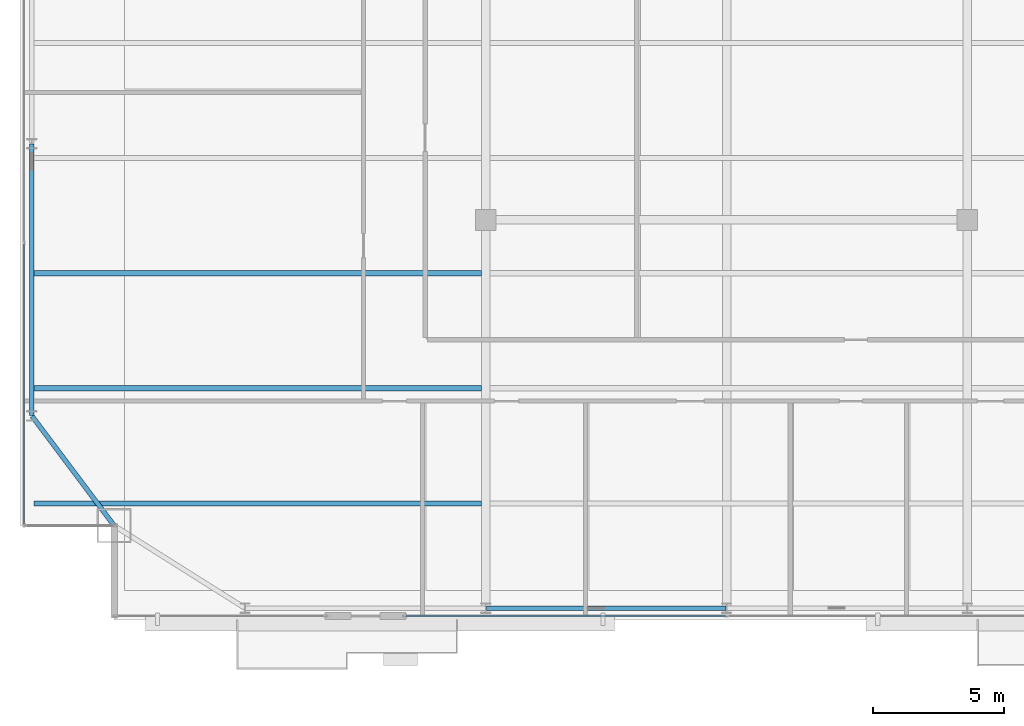
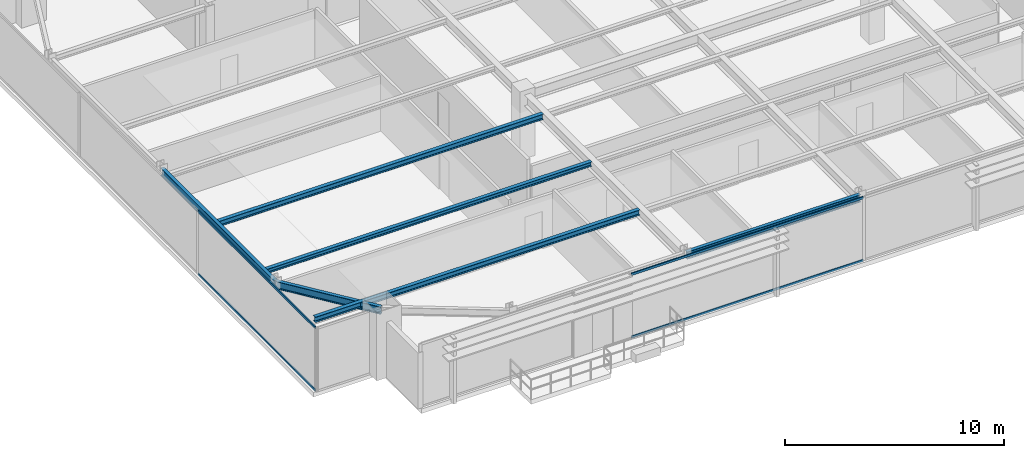
# One storey, part 6 of 30: 6 beams, 4 members, 2 elements without a shape of their own.
"""IFC4 building model written with IfcOpenShell, lengths in metres."""

from ifc_helpers import new_model, si_unit, direction, frame, origin, origin_2d, place, context, subcontext, project, spatial, hollow_rectangle, i_section, extrude, source, transform, mapped, material, layer, layer_set, material_profile, profile_set, type_object, type_shapes, element, aggregate, save


model = new_model("IFC4")

# Units and contexts
model_context = context("Model", 3, precision=1e-05, world=origin(), true_north=direction((0.0, 1.0)))
body_context = subcontext(model_context, "Body", "Model", "MODEL_VIEW")
ifc_project = project(units=[si_unit("LENGTHUNIT", "METRE"), si_unit("AREAUNIT", "SQUARE_METRE"), si_unit("VOLUMEUNIT", "CUBIC_METRE"), si_unit("PLANEANGLEUNIT", "RADIAN"), si_unit("MASSUNIT", "GRAM", prefix="KILO")], contexts=[model_context])

# Site, building, storey
site_placement = place(None, origin())
site = spatial("IfcSite", under=ifc_project, at=site_placement, CompositionType="ELEMENT")
building_placement = place(site_placement, origin())
building = spatial("IfcBuilding", under=site, at=building_placement, Name="Varnel Quay Broadcast Tower", CompositionType="ELEMENT")
storey_placement = place(building_placement, frame((0.0, 0.0, 168.60009765625)))
storey = spatial("IfcBuildingStorey", under=building, at=storey_placement, Name="L41", CompositionType="ELEMENT", Elevation=168.60009765625)

# Beams
ifc_material_1 = material(Name="Structural Steel CSA G40.21 350W", Category="steel")
ifc_material_profile_1 = material_profile(ifc_material_1, i_section(OverallWidth=0.180908203125, OverallDepth=0.4169921875, WebThickness=0.010986328125, FlangeThickness=0.018310546875, FilletRadius=0.011962890625, at=origin_2d()), Name="W410X85")
ifc_profile_set_1 = profile_set([ifc_material_profile_1], Name="Structural Steel CSA G40.21 350W")
beam_type_1 = type_object("IfcBeamType", Name="Beam_W410X85", PredefinedType="SPANDREL", material=ifc_profile_set_1)
shared_shape_1 = source(origin(), body_context, "Body", "SweptSolid", [
    extrude(i_section(OverallWidth=0.180908203125, OverallDepth=0.4169921875, WebThickness=0.010986328125, FlangeThickness=0.018310546875, FilletRadius=0.011962890625, at=origin_2d()), origin(), (0.0, 0.0, 1.0), 9.159912109375),
])
beam_1_placement = place(storey_placement, frame((24.820068359375, 7.64990234375, 3.34130859375), z_axis=(1.0, 0.0, 0.0), x_axis=(0.0, 1.0, 0.0)))
element("IfcBeam", 1, at=beam_1_placement, inside=storey, type_object=beam_type_1, Name="L41 South Spandrel TC-S2-TC-S3", PredefinedType="SPANDREL", context=body_context, shape_type="MappedRepresentation", body=[
    mapped(shared_shape_1, transform((0.0, 0.0, 0.0), x_axis=(1.0, 0.0, 0.0), y_axis=(0.0, 1.0, 0.0), z_axis=(0.0, 0.0, 1.0), scale=1.0)),
])
shared_shape_2 = source(origin(), body_context, "Body", "SweptSolid", [
    extrude(i_section(OverallWidth=0.180908203125, OverallDepth=0.4169921875, WebThickness=0.010986328125, FlangeThickness=0.018310546875, FilletRadius=0.011962890625, at=origin_2d()), origin(), (0.0, 0.0, 1.0), 10.35986328125),
])
beam_2_placement = place(storey_placement, frame((7.449951171875, 15.02001953125, 3.34130859375), z_axis=(0.0, 1.0, 0.0), x_axis=(-1.0, 0.0, 0.0)))
element("IfcBeam", 2, at=beam_2_placement, inside=storey, type_object=beam_type_1, Name="L41 West Spandrel TC-W1-TC-W2", PredefinedType="SPANDREL", context=body_context, shape_type="MappedRepresentation", body=[
    mapped(shared_shape_2, transform((0.0, 0.0, 0.0), x_axis=(1.0, 0.0, 0.0), y_axis=(0.0, 1.0, 0.0), z_axis=(0.0, 0.0, 1.0), scale=1.0)),
])
shared_shape_3 = source(origin(), body_context, "Body", "SweptSolid", [
    extrude(i_section(OverallWidth=0.180908203125, OverallDepth=0.4169921875, WebThickness=0.010986328125, FlangeThickness=0.018310546875, FilletRadius=0.011962890625, at=origin_2d()), origin(), (0.0, 0.0, 1.0), 5.2099609375),
])
type_shapes(beam_type_1, [shared_shape_1, shared_shape_2, shared_shape_3])
beam_3_placement = place(storey_placement, frame((10.587890625, 10.81591796875, 3.34130859375), z_axis=(-0.6, 0.8, 0.0), x_axis=(-0.8, -0.6, 0.0)))
element("IfcBeam", 3, at=beam_3_placement, inside=storey, type_object=beam_type_1, Name="L41 West Spandrel MC-SW-TC-W1", PredefinedType="SPANDREL", context=body_context, shape_type="MappedRepresentation", body=[
    mapped(shared_shape_3, transform((0.0, 0.0, 0.0), x_axis=(1.0, 0.0, 0.0), y_axis=(0.0, 1.0, 0.0), z_axis=(0.0, 0.0, 1.0), scale=1.0)),
])
ifc_material_profile_2 = material_profile(ifc_material_1, i_section(OverallWidth=0.202880859375, OverallDepth=0.302978515625, WebThickness=0.007568359375, FlangeThickness=0.01318359375, FilletRadius=0.011962890625, at=origin_2d()), Name="W310X60")
ifc_profile_set_2 = profile_set([ifc_material_profile_2], Name="Structural Steel CSA G40.21 350W")
beam_type_2 = type_object("IfcBeamType", Name="Beam_W310X60", PredefinedType="JOIST", material=ifc_profile_set_2)
shared_shape_4 = source(origin(), body_context, "Body", "SweptSolid", [
    extrude(i_section(OverallWidth=0.202880859375, OverallDepth=0.302978515625, WebThickness=0.007568359375, FlangeThickness=0.01318359375, FilletRadius=0.011962890625, at=origin_2d()), origin(), (0.0, 0.0, 1.0), 17.107177734375),
])
type_shapes(beam_type_2, [shared_shape_4])
for number, where, z_axis, x_axis, name in (
    (4, (7.535400390625, 11.64990234375, 3.3984375), (1.0, 0.0, 0.0), (0.0, 1.0, 0.0), "L41 West Floor Joist 1"),
    (5, (7.535400390625, 20.449951171875, 3.3984375), (1.0, 0.0, 0.0), (0.0, 1.0, 0.0), "L41 West Floor Joist 3"),
):
    element("IfcBeam", number, at=place(storey_placement, frame(where, z_axis=z_axis, x_axis=x_axis)), inside=storey, type_object=beam_type_2, Name=name, PredefinedType="JOIST", context=body_context, shape_type="MappedRepresentation", body=[
        mapped(shared_shape_4, transform((0.0, 0.0, 0.0), x_axis=(1.0, 0.0, 0.0), y_axis=(0.0, 1.0, 0.0), z_axis=(0.0, 0.0, 1.0), scale=1.0)),
    ])
ifc_material_profile_3 = material_profile(ifc_material_1, i_section(OverallWidth=0.201904296875, OverallDepth=0.2470703125, WebThickness=0.00732421875, FlangeThickness=0.010986328125, FilletRadius=0.010986328125, at=origin_2d()), Name="W250X49")
ifc_profile_set_3 = profile_set([ifc_material_profile_3], Name="Structural Steel CSA G40.21 350W")
beam_type_3 = type_object("IfcBeamType", Name="Beam_W250X49", PredefinedType="JOIST", material=ifc_profile_set_3)
shared_shape_5 = source(origin(), body_context, "Body", "SweptSolid", [
    extrude(i_section(OverallWidth=0.201904296875, OverallDepth=0.2470703125, WebThickness=0.00732421875, FlangeThickness=0.010986328125, FilletRadius=0.010986328125, at=origin_2d()), origin(), (0.0, 0.0, 1.0), 17.107177734375),
])
type_shapes(beam_type_3, [shared_shape_5])
beam_4_placement = place(storey_placement, frame((7.535400390625, 16.050048828125, 3.426513671875), z_axis=(1.0, 0.0, 0.0), x_axis=(0.0, 1.0, 0.0)))
element("IfcBeam", 6, at=beam_4_placement, inside=storey, type_object=beam_type_3, Name="L41 West Floor Joist 2", PredefinedType="JOIST", context=body_context, shape_type="MappedRepresentation", body=[
    mapped(shared_shape_5, transform((0.0, 0.0, 0.0), x_axis=(1.0, 0.0, 0.0), y_axis=(0.0, 1.0, 0.0), z_axis=(0.0, 0.0, 1.0), scale=1.0)),
])

# Curtain wall, members
ifc_material_2 = material(Name="Anodised Bronze Aluminium 6063-T6", Category="aluminium")
ifc_layer = layer(ifc_material_2, 0.18994140625, Name="Anodised Bronze Aluminium 6063-T6")
ifc_layer_set = layer_set([ifc_layer], Name="Anodised Bronze Aluminium 6063-T6")
curtain_wall_type = type_object("IfcCurtainWallType", Name="CW_UpperTower", PredefinedType="NOTDEFINED", material=ifc_layer_set)
curtain_wall_1_placement = place(storey_placement, origin())
curtain_wall_1 = element("IfcCurtainWall", 7, at=curtain_wall_1_placement, inside=storey, type_object=curtain_wall_type, Name="L41 West Unitised Curtain Wall", PredefinedType="NOTDEFINED")
ifc_material_profile_4 = material_profile(ifc_material_2, hollow_rectangle(XDim=0.06005859375, YDim=0.125, WallThickness=0.0029296875, at=origin_2d()), Name="ALU60X125X3")
ifc_profile_set_4 = profile_set([ifc_material_profile_4], Name="Anodised Bronze Aluminium 6063-T6")
member_type = type_object("IfcMemberType", Name="Tran_CWS-03", PredefinedType="USERDEFINED", material=ifc_profile_set_4)
shared_shape_6 = source(origin(), body_context, "Body", "SweptSolid", [
    extrude(hollow_rectangle(XDim=0.06005859375, YDim=0.125, WallThickness=0.0029296875, at=origin_2d()), origin(), (0.0, 0.0, 1.0), 10.702392578125),
])
member_1_placement = place(storey_placement, frame((7.14990234375, 10.864990234375, 0.02978515625), z_axis=(0.0, 1.0, 0.0), x_axis=(-1.0, 0.0, 0.0)))
member_1 = element("IfcMember", 8, at=member_1_placement, type_object=member_type, Name="CWS-03 transom 1.1", ObjectType="TRANSOM", PredefinedType="USERDEFINED", context=body_context, shape_type="MappedRepresentation", body=[
    mapped(shared_shape_6, transform((0.0, 0.0, 0.0), x_axis=(1.0, 0.0, 0.0), y_axis=(0.0, 1.0, 0.0), z_axis=(0.0, 0.0, 1.0), scale=1.0)),
])
member_2_placement = place(storey_placement, frame((7.14990234375, 10.864990234375, 3.52001953125), z_axis=(0.0, 1.0, 0.0), x_axis=(-1.0, 0.0, 0.0)))
member_2 = element("IfcMember", 9, at=member_2_placement, type_object=member_type, Name="CWS-03 transom 1.2", ObjectType="TRANSOM", PredefinedType="USERDEFINED", context=body_context, shape_type="MappedRepresentation", body=[
    mapped(shared_shape_6, transform((0.0, 0.0, 0.0), x_axis=(1.0, 0.0, 0.0), y_axis=(0.0, 1.0, 0.0), z_axis=(0.0, 0.0, 1.0), scale=1.0)),
])
aggregate(curtain_wall_1, [member_1, member_2])

curtain_wall_2_placement = place(storey_placement, origin())
curtain_wall_2 = element("IfcCurtainWall", 10, at=curtain_wall_2_placement, inside=storey, type_object=curtain_wall_type, Name="L41 South Unitised Curtain Wall 2", PredefinedType="NOTDEFINED")
shared_shape_7 = source(origin(), body_context, "Body", "SweptSolid", [
    extrude(hollow_rectangle(XDim=0.06005859375, YDim=0.125, WallThickness=0.0029296875, at=origin_2d()), origin(), (0.0, 0.0, 1.0), 12.222412109375),
])
type_shapes(member_type, [shared_shape_6, shared_shape_7])
member_3_placement = place(storey_placement, frame((21.7451171875, 7.35009765625, 0.02978515625), z_axis=(1.0, 0.0, 0.0), x_axis=(0.0, 1.0, 0.0)))
member_3 = element("IfcMember", 11, at=member_3_placement, type_object=member_type, Name="CWS-03 transom 1.1", ObjectType="TRANSOM", PredefinedType="USERDEFINED", context=body_context, shape_type="MappedRepresentation", body=[
    mapped(shared_shape_7, transform((0.0, 0.0, 0.0), x_axis=(1.0, 0.0, 0.0), y_axis=(0.0, 1.0, 0.0), z_axis=(0.0, 0.0, 1.0), scale=1.0)),
])
member_4_placement = place(storey_placement, frame((21.7451171875, 7.35009765625, 3.52001953125), z_axis=(1.0, 0.0, 0.0), x_axis=(0.0, 1.0, 0.0)))
member_4 = element("IfcMember", 12, at=member_4_placement, type_object=member_type, Name="CWS-03 transom 1.2", ObjectType="TRANSOM", PredefinedType="USERDEFINED", context=body_context, shape_type="MappedRepresentation", body=[
    mapped(shared_shape_7, transform((0.0, 0.0, 0.0), x_axis=(1.0, 0.0, 0.0), y_axis=(0.0, 1.0, 0.0), z_axis=(0.0, 0.0, 1.0), scale=1.0)),
])
aggregate(curtain_wall_2, [member_3, member_4])

save(model, "model.ifc")
